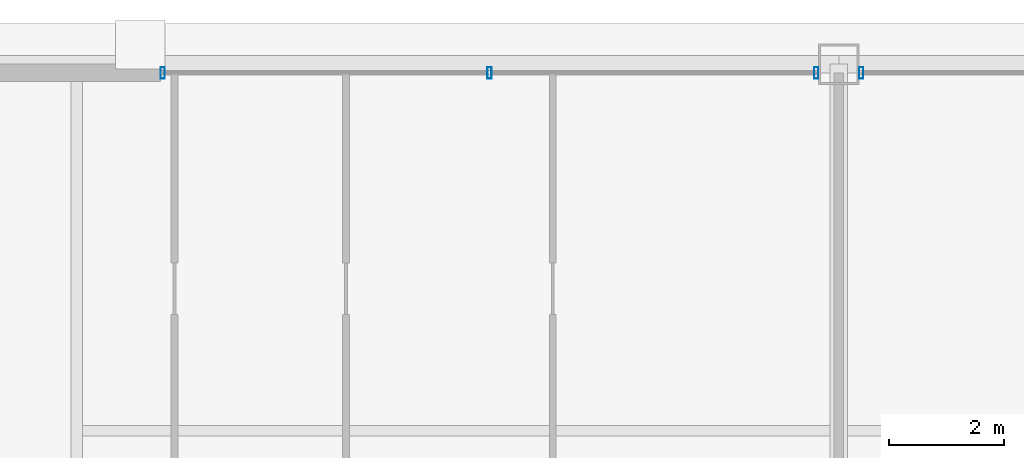
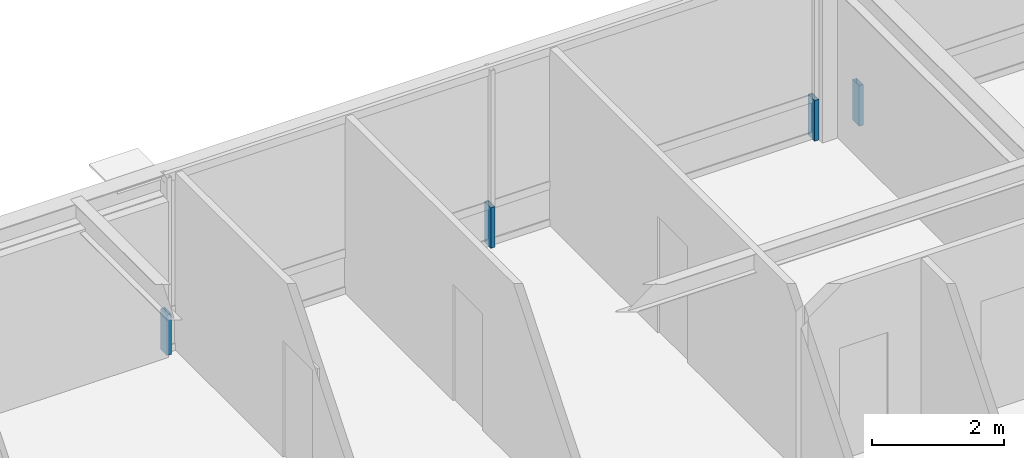
# One storey, part 27 of 35: 4 members, 2 elements without a shape of their own.
"""IFC4 building model written with IfcOpenShell, lengths in metres."""

import ifcopenshell
import ifcopenshell.guid

model = None  # the IFC model being written
_history = None  # IfcOwnerHistory: only IFC2X3 demands one
_inside = {}  # id of a spatial element -> (the spatial element, [elements in it])
_under = {}  # id of a project, library or spatial element -> (it, [spatial elements below it])
_declared = {}  # id of a project -> (the project, [libraries it declares])
_typed = {}  # id of a type object -> (the type object, [elements of that type])
_made_of = {}  # id of a material, layer set ... -> (it, [elements and type objects made of it])


def new_model(schema):
    """Start an empty IFC model of exactly this schema.

    Asked for "IFC4X3", IfcOpenShell would pick the latest addendum, in which some entities
    have other attributes; the version numbers below select the first issue.
    IFC2X3 requires an IfcOwnerHistory on every rooted entity: one is made here for all.
    """
    global model, _history
    if schema == "IFC4X3":
        model = ifcopenshell.file(schema_version=(4, 3, 0, 0))
    else:
        model = ifcopenshell.file(schema=schema)
    _inside.clear()
    _under.clear()
    _declared.clear()
    _typed.clear()
    _made_of.clear()
    _history = None
    if model.schema == "IFC2X3":
        org = make("IfcOrganization", Name="unknown")
        user = make(
            "IfcPersonAndOrganization",
            ThePerson=make("IfcPerson", FamilyName="unknown"),
            TheOrganization=org,
        )
        app = make(
            "IfcApplication",
            ApplicationDeveloper=org,
            Version="unknown",
            ApplicationFullName="unknown",
            ApplicationIdentifier="unknown",
        )
        _history = make(
            "IfcOwnerHistory",
            OwningUser=user,
            OwningApplication=app,
            ChangeAction="ADDED",
            CreationDate=0,
        )
    return model


def make(cls, **values):
    """One entity of the class cls with the attributes given. An attribute that is None is left unset."""
    return model.create_entity(
        cls, **{name: value for name, value in values.items() if value is not None}
    )


def rooted(cls, **values):
    """An entity with a GlobalId (a new one), such as an element, a storey or a relation."""
    return make(cls, GlobalId=ifcopenshell.guid.new(), OwnerHistory=_history, **values)


def si_unit(unit_type, name, prefix=None):
    """IfcSIUnit, for example si_unit("LENGTHUNIT", "METRE", prefix="MILLI")."""
    return make("IfcSIUnit", UnitType=unit_type, Prefix=prefix, Name=name)


def assignment(units):
    """IfcUnitAssignment: the units of a project."""
    return None if units is None else make("IfcUnitAssignment", Units=units)


def point(xyz):
    """IfcCartesianPoint."""
    return None if xyz is None else make("IfcCartesianPoint", Coordinates=xyz)


def direction(xyz):
    """IfcDirection."""
    return None if xyz is None else make("IfcDirection", DirectionRatios=xyz)


def frame(location, z_axis=None, x_axis=None):
    """IfcAxis2Placement3D, a coordinate frame: its origin and axes. An axis left out is left unset."""
    return make(
        "IfcAxis2Placement3D",
        Location=point(location),
        Axis=direction(z_axis),
        RefDirection=direction(x_axis),
    )


def frame_2d(location, x_axis=None):
    """IfcAxis2Placement2D, a coordinate frame in the plane: its origin and x axis."""
    return make(
        "IfcAxis2Placement2D", Location=point(location), RefDirection=direction(x_axis)
    )


def origin():
    """The frame at (0, 0, 0) with its axes left unset."""
    return frame((0.0, 0.0, 0.0))


def origin_2d():
    """The frame at (0, 0) in the plane with its x axis left unset."""
    return frame_2d((0.0, 0.0))


def place(relative_to, where):
    """IfcLocalPlacement: puts the frame where relative to a parent placement (None: the world)."""
    return make(
        "IfcLocalPlacement", PlacementRelTo=relative_to, RelativePlacement=where
    )


def context(
    kind, dimensions, precision=None, world=None, true_north=None, identifier=None
):
    """IfcGeometricRepresentationContext, for example the 3D "Model" context."""
    return make(
        "IfcGeometricRepresentationContext",
        ContextIdentifier=identifier,
        ContextType=kind,
        CoordinateSpaceDimension=dimensions,
        Precision=precision,
        WorldCoordinateSystem=world,
        TrueNorth=true_north,
    )


def subcontext(parent, identifier, kind, view, scale=None):
    """IfcGeometricRepresentationSubContext, for example "Body" below "Model"."""
    return make(
        "IfcGeometricRepresentationSubContext",
        ContextIdentifier=identifier,
        ContextType=kind,
        ParentContext=parent,
        TargetScale=scale,
        TargetView=view,
    )


def project(units=None, contexts=None):
    """IfcProject with its units and contexts."""
    return rooted(
        "IfcProject",
        Name="project",
        RepresentationContexts=contexts,
        UnitsInContext=assignment(units),
    )


def spatial(cls, under=None, at=None, **own):
    """A site, building, storey or space (cls), placed at a placement, below another one or the project."""
    s = rooted(cls, ObjectPlacement=at, **own)
    if under is not None:
        _under.setdefault(under.id(), (under, []))[1].append(s)
    return s


def profile(cls, at=None, kind="AREA", **sizes):
    """A parametric profile (cls). Its sizes go by their IFC names, for example OverallWidth=200.0."""
    return make(cls, ProfileType=kind, Position=at, **sizes)


def hollow_rectangle(**sizes):
    """IfcRectangleHollowProfileDef."""
    return profile("IfcRectangleHollowProfileDef", **sizes)


def extrude(swept, where, along, depth):
    """IfcExtrudedAreaSolid: the profile swept, set in the frame where, extruded along a direction by depth."""
    return make(
        "IfcExtrudedAreaSolid",
        SweptArea=swept,
        Position=where,
        ExtrudedDirection=direction(along),
        Depth=depth,
    )


def shape(context_of_items, identifier, shape_type, items):
    """IfcShapeRepresentation: the items that make up one representation, for example the "Body"."""
    return make(
        "IfcShapeRepresentation",
        ContextOfItems=context_of_items,
        RepresentationIdentifier=identifier,
        RepresentationType=shape_type,
        Items=items,
    )


def source(mapping_origin, context_of_items, identifier, shape_type, items):
    """IfcRepresentationMap: a shape defined once, which mapped items show again and again."""
    return make(
        "IfcRepresentationMap",
        MappingOrigin=mapping_origin,
        MappedRepresentation=shape(context_of_items, identifier, shape_type, items),
    )


def transform(
    local_origin,
    x_axis=None,
    y_axis=None,
    z_axis=None,
    scale=None,
    scale2=None,
    scale3=None,
    uniform=True,
):
    """IfcCartesianTransformationOperator3D, or its non-uniform kind. x_axis, y_axis, z_axis: its Axis1, 2, 3."""
    if uniform:
        return make(
            "IfcCartesianTransformationOperator3D",
            Axis1=direction(x_axis),
            Axis2=direction(y_axis),
            LocalOrigin=point(local_origin),
            Scale=scale,
            Axis3=direction(z_axis),
        )
    return make(
        "IfcCartesianTransformationOperator3DnonUniform",
        Axis1=direction(x_axis),
        Axis2=direction(y_axis),
        LocalOrigin=point(local_origin),
        Scale=scale,
        Axis3=direction(z_axis),
        Scale2=scale2,
        Scale3=scale3,
    )


def mapped(mapping_source, mapping_target):
    """IfcMappedItem: shows the shape of a source again, moved by a transform."""
    return make(
        "IfcMappedItem", MappingSource=mapping_source, MappingTarget=mapping_target
    )


def material(Name=None, Category=None):
    """IfcMaterial."""
    return make("IfcMaterial", Name=Name, Category=Category)


def layer(
    of_material, thickness, ventilated=None, Name=None, Category=None, Priority=None
):
    """IfcMaterialLayer: one layer of a wall or slab, of a material (None: an air gap)."""
    return make(
        "IfcMaterialLayer",
        Material=of_material,
        LayerThickness=thickness,
        IsVentilated=ventilated,
        Name=Name,
        Category=Category,
        Priority=Priority,
    )


def layer_set(layers, Name=None):
    """IfcMaterialLayerSet."""
    return make("IfcMaterialLayerSet", MaterialLayers=layers, LayerSetName=Name)


def material_profile(
    of_material, cross_section, Name=None, Category=None, Priority=None
):
    """IfcMaterialProfile: a cross section and its material."""
    return make(
        "IfcMaterialProfile",
        Name=Name,
        Material=of_material,
        Profile=cross_section,
        Priority=Priority,
        Category=Category,
    )


def profile_set(profiles, Name=None, composite=None):
    """IfcMaterialProfileSet."""
    return make(
        "IfcMaterialProfileSet",
        Name=Name,
        MaterialProfiles=profiles,
        CompositeProfile=composite,
    )


def made_of(thing, what):
    """Note that an element or type object is made of a material, layer set ...; save() writes the relation."""
    if what is not None:
        _made_of.setdefault(what.id(), (what, []))[1].append(thing)
    return thing


def type_object(cls, material=None, **own):
    """A type object (cls), such as IfcWallType, which elements share."""
    return made_of(rooted(cls, **own), material)


def element(
    cls,
    number,
    at=None,
    inside=None,
    cuts=None,
    type_object=None,
    material=None,
    context=None,
    identifier="Body",
    shape_type=None,
    held_by="IfcProductDefinitionShape",
    body=None,
    shapes=None,
    **own,
):
    """One element of the class cls, such as IfcWall. Its Tag is "e" and its number.

    at: its placement. inside: the storey or other place that contains it. cuts: it is an
    opening in that element (IfcRelVoidsElement). A single representation is given by context,
    identifier, shape_type and body (its items); several are given by shapes. held_by: the class
    of the entity that holds the representations. save() writes the other relations.
    """
    e = rooted(cls, Tag="e%d" % number, ObjectPlacement=at, **own)
    if body is not None:
        shapes = [shape(context, identifier, shape_type, body)]
    if shapes is not None:
        e.Representation = make(held_by, Representations=shapes)
    if inside is not None:
        _inside.setdefault(inside.id(), (inside, []))[1].append(e)
    if cuts is not None:
        rooted(
            "IfcRelVoidsElement", RelatingBuildingElement=cuts, RelatedOpeningElement=e
        )
    if type_object is not None:
        _typed.setdefault(type_object.id(), (type_object, []))[1].append(e)
    return made_of(e, material)


def aggregate(whole, parts):
    """IfcRelAggregates: a whole, such as a stair, and the parts it consists of."""
    return rooted("IfcRelAggregates", RelatingObject=whole, RelatedObjects=parts)


def save(model, path):
    """Write the relations noted so far, then the file.

    IfcRelAggregates (storeys below a building ...), IfcRelContainedInSpatialStructure (elements
    in a storey), IfcRelDefinesByType, IfcRelAssociatesMaterial and IfcRelDeclares: one each for
    every whole, place, type object, material and project.
    """
    for whole, parts in _under.values():
        aggregate(whole, parts)
    for where, things in _inside.values():
        rooted(
            "IfcRelContainedInSpatialStructure",
            RelatedElements=things,
            RelatingStructure=where,
        )
    for kind, things in _typed.values():
        rooted("IfcRelDefinesByType", RelatedObjects=things, RelatingType=kind)
    for what, things in _made_of.values():
        rooted("IfcRelAssociatesMaterial", RelatedObjects=things, RelatingMaterial=what)
    for by, libraries in _declared.values():
        rooted("IfcRelDeclares", RelatingContext=by, RelatedDefinitions=libraries)
    model.write(path)


model = new_model("IFC4")

# Units and contexts
model_context = context("Model", 3, precision=1e-05, world=origin(), true_north=direction((0.0, 1.0)))
body_context = subcontext(model_context, "Body", "Model", "MODEL_VIEW")
ifc_project = project(units=[si_unit("LENGTHUNIT", "METRE"), si_unit("AREAUNIT", "SQUARE_METRE"), si_unit("VOLUMEUNIT", "CUBIC_METRE"), si_unit("PLANEANGLEUNIT", "RADIAN"), si_unit("MASSUNIT", "GRAM", prefix="KILO"), si_unit("THERMODYNAMICTEMPERATUREUNIT", "KELVIN"), si_unit("POWERUNIT", "WATT")], contexts=[model_context])

# Site, building, storey
site_placement = place(None, origin())
site = spatial("IfcSite", under=ifc_project, at=site_placement, CompositionType="ELEMENT")
building_placement = place(site_placement, origin())
building = spatial("IfcBuilding", under=site, at=building_placement, Name="Yuzanri Waterfront Tower", CompositionType="ELEMENT")
storey_placement = place(building_placement, frame((0.0, 0.0, 332.199951171875)))
storey = spatial("IfcBuildingStorey", under=building, at=storey_placement, Name="L89", CompositionType="ELEMENT", Elevation=332.199951171875)

# Curtain wall, members
ifc_material_1 = material(Name="Anodized Architectural Bronze", Category="metal")
ifc_layer = layer(ifc_material_1, 0.159912109375)
ifc_layer_set = layer_set([ifc_layer], Name="Anodized Architectural Bronze")
curtain_wall_type = type_object("IfcCurtainWallType", Name="Anodized Bronze High-Rise Penthouse High-Wind Unitized Curtain Wall 6900", PredefinedType="NOTDEFINED", material=ifc_layer_set)
curtain_wall_1_placement = place(storey_placement, origin())
curtain_wall_1 = element("IfcCurtainWall", 1, at=curtain_wall_1_placement, inside=storey, type_object=curtain_wall_type, Name="L89 Curtain Wall CW-L89-NL", PredefinedType="NOTDEFINED")
ifc_material_2 = material(Name="Anodized Architectural Bronze", Category="metal")
ifc_material_profile = material_profile(ifc_material_2, hollow_rectangle(XDim=0.074951171875, YDim=0.199951171875, WallThickness=0.00390625, at=origin_2d()), Name="CWM 75x200")
ifc_profile_set = profile_set([ifc_material_profile], Name="Anodized Architectural Bronze")
member_type = type_object("IfcMemberType", Name="Anodized Bronze Primary Curtain-Wall Mullion 75x200", PredefinedType="MULLION", material=ifc_profile_set)
shared_shape = source(origin(), body_context, "Body", "SweptSolid", [
    extrude(hollow_rectangle(XDim=0.074951171875, YDim=0.199951171875, WallThickness=0.00390625, at=origin_2d()), origin(), (0.0, 0.0, 1.0), 0.751953125),
])
member_1_placement = place(storey_placement, frame((25.2900390625, 44.75, 0.0), z_axis=(0.0, 0.0, 1.0), x_axis=(1.0, 0.0, 0.0)))
member_1 = element("IfcMember", 2, at=member_1_placement, type_object=member_type, Name="CW-L89-NL Lower Mullion 00", PredefinedType="MULLION", context=body_context, shape_type="MappedRepresentation", body=[
    mapped(shared_shape, transform((0.0, 0.0, 0.0), scale=1.0)),
])
member_2_placement = place(storey_placement, frame((30.949951171875, 44.75, 0.0), z_axis=(0.0, 0.0, 1.0), x_axis=(1.0, 0.0, 0.0)))
member_2 = element("IfcMember", 3, at=member_2_placement, type_object=member_type, Name="CW-L89-NL Lower Mullion 01", PredefinedType="MULLION", context=body_context, shape_type="MappedRepresentation", body=[
    mapped(shared_shape, transform((0.0, 0.0, 0.0), scale=1.0)),
])
member_3_placement = place(storey_placement, frame((36.610107421875, 44.75, 0.0), z_axis=(0.0, 0.0, 1.0), x_axis=(1.0, 0.0, 0.0)))
member_3 = element("IfcMember", 4, at=member_3_placement, type_object=member_type, Name="CW-L89-NL Lower Mullion 02", PredefinedType="MULLION", context=body_context, shape_type="MappedRepresentation", body=[
    mapped(shared_shape, transform((0.0, 0.0, 0.0), scale=1.0)),
])
aggregate(curtain_wall_1, [member_1, member_2, member_3])

# Curtain wall, member
curtain_wall_2_placement = place(storey_placement, origin())
curtain_wall_2 = element("IfcCurtainWall", 5, at=curtain_wall_2_placement, inside=storey, type_object=curtain_wall_type, Name="L89 Curtain Wall CW-L89-NR", PredefinedType="NOTDEFINED")
member_4_placement = place(storey_placement, frame((37.389892578125, 44.75, 0.0), z_axis=(0.0, 0.0, 1.0), x_axis=(1.0, 0.0, 0.0)))
member_4 = element("IfcMember", 6, at=member_4_placement, type_object=member_type, Name="CW-L89-NR Lower Mullion 00", PredefinedType="MULLION", context=body_context, shape_type="MappedRepresentation", body=[
    mapped(shared_shape, transform((0.0, 0.0, 0.0), scale=1.0)),
])
aggregate(curtain_wall_2, [member_4])

save(model, "model.ifc")
